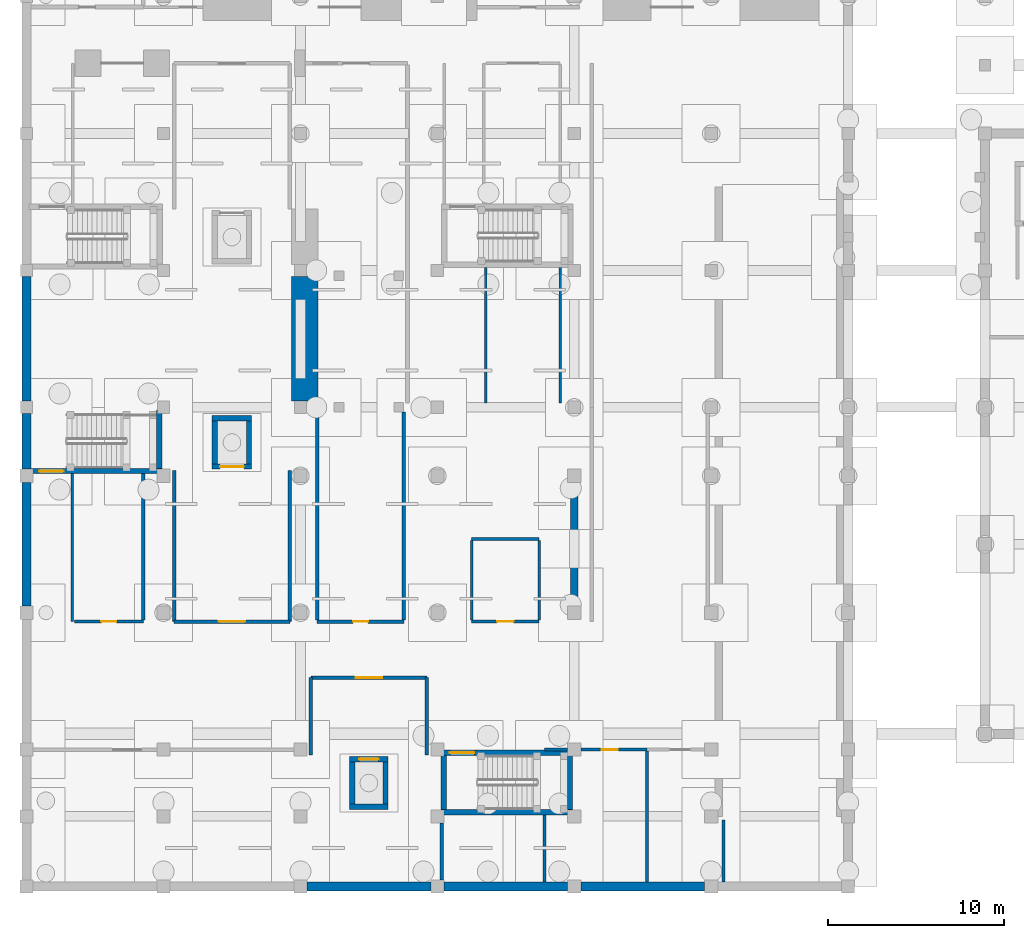
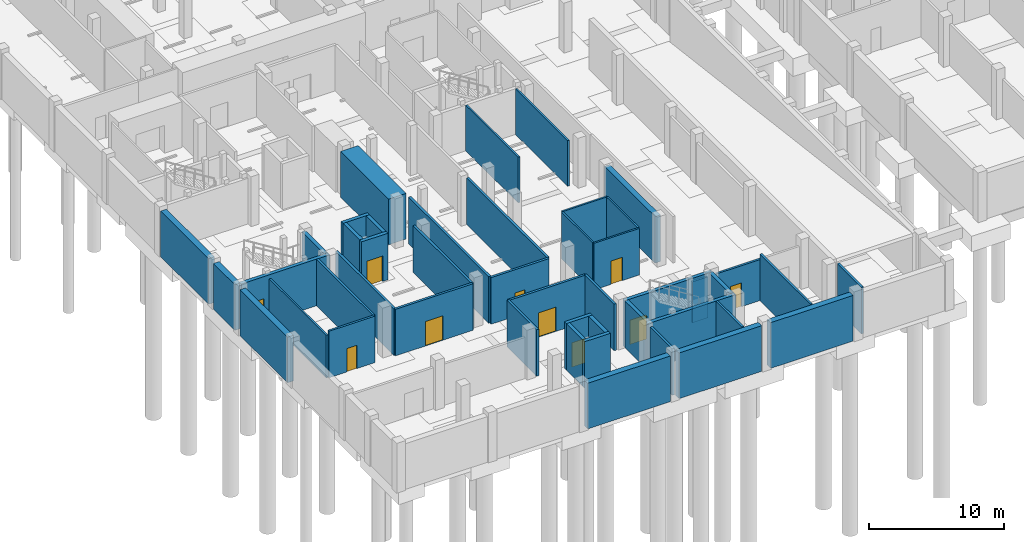
# One storey, part 10 of 24: 46 walls, 10 doors, 10 openings.
"""IFC4 building model written with IfcOpenShell, lengths in metres."""

import ifcopenshell
import ifcopenshell.guid

model = None  # the IFC model being written
_history = None  # IfcOwnerHistory: only IFC2X3 demands one
_inside = {}  # id of a spatial element -> (the spatial element, [elements in it])
_under = {}  # id of a project, library or spatial element -> (it, [spatial elements below it])
_declared = {}  # id of a project -> (the project, [libraries it declares])
_typed = {}  # id of a type object -> (the type object, [elements of that type])
_made_of = {}  # id of a material, layer set ... -> (it, [elements and type objects made of it])


def new_model(schema):
    """Start an empty IFC model of exactly this schema.

    Asked for "IFC4X3", IfcOpenShell would pick the latest addendum, in which some entities
    have other attributes; the version numbers below select the first issue.
    IFC2X3 requires an IfcOwnerHistory on every rooted entity: one is made here for all.
    """
    global model, _history
    if schema == "IFC4X3":
        model = ifcopenshell.file(schema_version=(4, 3, 0, 0))
    else:
        model = ifcopenshell.file(schema=schema)
    _inside.clear()
    _under.clear()
    _declared.clear()
    _typed.clear()
    _made_of.clear()
    _history = None
    if model.schema == "IFC2X3":
        org = make("IfcOrganization", Name="unknown")
        user = make(
            "IfcPersonAndOrganization",
            ThePerson=make("IfcPerson", FamilyName="unknown"),
            TheOrganization=org,
        )
        app = make(
            "IfcApplication",
            ApplicationDeveloper=org,
            Version="unknown",
            ApplicationFullName="unknown",
            ApplicationIdentifier="unknown",
        )
        _history = make(
            "IfcOwnerHistory",
            OwningUser=user,
            OwningApplication=app,
            ChangeAction="ADDED",
            CreationDate=0,
        )
    return model


def make(cls, **values):
    """One entity of the class cls with the attributes given. An attribute that is None is left unset."""
    return model.create_entity(
        cls, **{name: value for name, value in values.items() if value is not None}
    )


def rooted(cls, **values):
    """An entity with a GlobalId (a new one), such as an element, a storey or a relation."""
    return make(cls, GlobalId=ifcopenshell.guid.new(), OwnerHistory=_history, **values)


def si_unit(unit_type, name, prefix=None):
    """IfcSIUnit, for example si_unit("LENGTHUNIT", "METRE", prefix="MILLI")."""
    return make("IfcSIUnit", UnitType=unit_type, Prefix=prefix, Name=name)


def assignment(units):
    """IfcUnitAssignment: the units of a project."""
    return None if units is None else make("IfcUnitAssignment", Units=units)


def point(xyz):
    """IfcCartesianPoint."""
    return None if xyz is None else make("IfcCartesianPoint", Coordinates=xyz)


def direction(xyz):
    """IfcDirection."""
    return None if xyz is None else make("IfcDirection", DirectionRatios=xyz)


def frame(location, z_axis=None, x_axis=None):
    """IfcAxis2Placement3D, a coordinate frame: its origin and axes. An axis left out is left unset."""
    return make(
        "IfcAxis2Placement3D",
        Location=point(location),
        Axis=direction(z_axis),
        RefDirection=direction(x_axis),
    )


def frame_2d(location, x_axis=None):
    """IfcAxis2Placement2D, a coordinate frame in the plane: its origin and x axis."""
    return make(
        "IfcAxis2Placement2D", Location=point(location), RefDirection=direction(x_axis)
    )


def origin():
    """The frame at (0, 0, 0) with its axes left unset."""
    return frame((0.0, 0.0, 0.0))


def place(relative_to, where):
    """IfcLocalPlacement: puts the frame where relative to a parent placement (None: the world)."""
    return make(
        "IfcLocalPlacement", PlacementRelTo=relative_to, RelativePlacement=where
    )


def context(
    kind, dimensions, precision=None, world=None, true_north=None, identifier=None
):
    """IfcGeometricRepresentationContext, for example the 3D "Model" context."""
    return make(
        "IfcGeometricRepresentationContext",
        ContextIdentifier=identifier,
        ContextType=kind,
        CoordinateSpaceDimension=dimensions,
        Precision=precision,
        WorldCoordinateSystem=world,
        TrueNorth=true_north,
    )


def subcontext(parent, identifier, kind, view, scale=None):
    """IfcGeometricRepresentationSubContext, for example "Body" below "Model"."""
    return make(
        "IfcGeometricRepresentationSubContext",
        ContextIdentifier=identifier,
        ContextType=kind,
        ParentContext=parent,
        TargetScale=scale,
        TargetView=view,
    )


def project(units=None, contexts=None):
    """IfcProject with its units and contexts."""
    return rooted(
        "IfcProject",
        Name="project",
        RepresentationContexts=contexts,
        UnitsInContext=assignment(units),
    )


def spatial(cls, under=None, at=None, **own):
    """A site, building, storey or space (cls), placed at a placement, below another one or the project."""
    s = rooted(cls, ObjectPlacement=at, **own)
    if under is not None:
        _under.setdefault(under.id(), (under, []))[1].append(s)
    return s


def profile(cls, at=None, kind="AREA", **sizes):
    """A parametric profile (cls). Its sizes go by their IFC names, for example OverallWidth=200.0."""
    return make(cls, ProfileType=kind, Position=at, **sizes)


def rectangle(**sizes):
    """IfcRectangleProfileDef."""
    return profile("IfcRectangleProfileDef", **sizes)


def extrude(swept, where, along, depth):
    """IfcExtrudedAreaSolid: the profile swept, set in the frame where, extruded along a direction by depth."""
    return make(
        "IfcExtrudedAreaSolid",
        SweptArea=swept,
        Position=where,
        ExtrudedDirection=direction(along),
        Depth=depth,
    )


def shape(context_of_items, identifier, shape_type, items):
    """IfcShapeRepresentation: the items that make up one representation, for example the "Body"."""
    return make(
        "IfcShapeRepresentation",
        ContextOfItems=context_of_items,
        RepresentationIdentifier=identifier,
        RepresentationType=shape_type,
        Items=items,
    )


def material(Name=None, Category=None):
    """IfcMaterial."""
    return make("IfcMaterial", Name=Name, Category=Category)


def layer(
    of_material, thickness, ventilated=None, Name=None, Category=None, Priority=None
):
    """IfcMaterialLayer: one layer of a wall or slab, of a material (None: an air gap)."""
    return make(
        "IfcMaterialLayer",
        Material=of_material,
        LayerThickness=thickness,
        IsVentilated=ventilated,
        Name=Name,
        Category=Category,
        Priority=Priority,
    )


def layer_set(layers, Name=None):
    """IfcMaterialLayerSet."""
    return make("IfcMaterialLayerSet", MaterialLayers=layers, LayerSetName=Name)


def made_of(thing, what):
    """Note that an element or type object is made of a material, layer set ...; save() writes the relation."""
    if what is not None:
        _made_of.setdefault(what.id(), (what, []))[1].append(thing)
    return thing


def type_object(cls, material=None, **own):
    """A type object (cls), such as IfcWallType, which elements share."""
    return made_of(rooted(cls, **own), material)


def element(
    cls,
    number,
    at=None,
    inside=None,
    cuts=None,
    type_object=None,
    material=None,
    context=None,
    identifier="Body",
    shape_type=None,
    held_by="IfcProductDefinitionShape",
    body=None,
    shapes=None,
    **own,
):
    """One element of the class cls, such as IfcWall. Its Tag is "e" and its number.

    at: its placement. inside: the storey or other place that contains it. cuts: it is an
    opening in that element (IfcRelVoidsElement). A single representation is given by context,
    identifier, shape_type and body (its items); several are given by shapes. held_by: the class
    of the entity that holds the representations. save() writes the other relations.
    """
    e = rooted(cls, Tag="e%d" % number, ObjectPlacement=at, **own)
    if body is not None:
        shapes = [shape(context, identifier, shape_type, body)]
    if shapes is not None:
        e.Representation = make(held_by, Representations=shapes)
    if inside is not None:
        _inside.setdefault(inside.id(), (inside, []))[1].append(e)
    if cuts is not None:
        rooted(
            "IfcRelVoidsElement", RelatingBuildingElement=cuts, RelatedOpeningElement=e
        )
    if type_object is not None:
        _typed.setdefault(type_object.id(), (type_object, []))[1].append(e)
    return made_of(e, material)


def fill(opening, filler):
    """IfcRelFillsElement: the door or window that sits in an opening."""
    return rooted(
        "IfcRelFillsElement",
        RelatingOpeningElement=opening,
        RelatedBuildingElement=filler,
    )


def aggregate(whole, parts):
    """IfcRelAggregates: a whole, such as a stair, and the parts it consists of."""
    return rooted("IfcRelAggregates", RelatingObject=whole, RelatedObjects=parts)


def save(model, path):
    """Write the relations noted so far, then the file.

    IfcRelAggregates (storeys below a building ...), IfcRelContainedInSpatialStructure (elements
    in a storey), IfcRelDefinesByType, IfcRelAssociatesMaterial and IfcRelDeclares: one each for
    every whole, place, type object, material and project.
    """
    for whole, parts in _under.values():
        aggregate(whole, parts)
    for where, things in _inside.values():
        rooted(
            "IfcRelContainedInSpatialStructure",
            RelatedElements=things,
            RelatingStructure=where,
        )
    for kind, things in _typed.values():
        rooted("IfcRelDefinesByType", RelatedObjects=things, RelatingType=kind)
    for what, things in _made_of.values():
        rooted("IfcRelAssociatesMaterial", RelatedObjects=things, RelatingMaterial=what)
    for by, libraries in _declared.values():
        rooted("IfcRelDeclares", RelatingContext=by, RelatedDefinitions=libraries)
    model.write(path)


model = new_model("IFC4")

# Units and contexts
model_context = context("Model", 3, precision=1e-05, world=origin(), true_north=direction((0.0, 1.0)))
body_context = subcontext(model_context, "Body", "Model", "MODEL_VIEW")
ifc_project = project(units=[si_unit("LENGTHUNIT", "METRE"), si_unit("AREAUNIT", "SQUARE_METRE"), si_unit("VOLUMEUNIT", "CUBIC_METRE"), si_unit("PLANEANGLEUNIT", "RADIAN"), si_unit("MASSUNIT", "GRAM", prefix="KILO")], contexts=[model_context])

# Site, building, storey
site_placement = place(None, origin())
site = spatial("IfcSite", under=ifc_project, at=site_placement, CompositionType="ELEMENT")
building_placement = place(site_placement, origin())
building = spatial("IfcBuilding", under=site, at=building_placement, Name="Celorna Specialist Clinic", CompositionType="ELEMENT")
storey_placement = place(building_placement, frame((0.0, 0.0, -4.5)))
storey = spatial("IfcBuildingStorey", under=building, at=storey_placement, Name="B01", CompositionType="ELEMENT", Elevation=-4.5)

# Walls
ifc_material_1 = material(Name="Concrete C40/50", Category="concrete")
ifc_layer_1 = layer(ifc_material_1, 1.5, Name="Concrete C40/50")
ifc_layer_set_1 = layer_set([ifc_layer_1], Name="Concrete C40/50")
wall_type_1 = type_object("IfcWallType", Name="WT-01", PredefinedType="SOLIDWALL", material=ifc_layer_set_1)
wall_1_placement = place(storey_placement, frame((15.85009765625, 27.64990234375, 0.0), z_axis=(0.0, 0.0, 1.0), x_axis=(0.0, 1.0, 0.0)))
element("IfcWall", 1, at=wall_1_placement, inside=storey, type_object=wall_type_1, Name="Room dividing partition WT-01 B01-011", PredefinedType="SOLIDWALL", context=body_context, shape_type="SweptSolid", body=[
    extrude(rectangle(XDim=7.10009765625, YDim=1.5, at=frame_2d((3.550048828125, 0.0))), origin(), (0.0, 0.0, 1.0), 4.1201171875),
])
ifc_material_2 = material(Name="Concrete C35/45", Category="concrete")
ifc_layer_2 = layer(ifc_material_2, 0.5, Name="Concrete C35/45")
ifc_layer_set_2 = layer_set([ifc_layer_2], Name="Concrete C35/45")
wall_type_2 = type_object("IfcWallType", Name="WT-03", PredefinedType="SOLIDWALL", material=ifc_layer_set_2)
wall_2_placement = place(storey_placement, frame((0.0, 27.64990234375, 0.0), z_axis=(0.0, 0.0, 1.0), x_axis=(0.0, 1.0, 0.0)))
element("IfcWall", 2, at=wall_2_placement, inside=storey, type_object=wall_type_2, Name="External facade wall WT-03 #1", PredefinedType="SOLIDWALL", context=body_context, shape_type="SweptSolid", body=[
    extrude(rectangle(XDim=7.10009765625, YDim=0.5, at=frame_2d((3.550048828125, 0.0))), origin(), (0.0, 0.0, 1.0), 4.1201171875),
])
for number, where, z_axis, x_axis, name in (
    (3, (38.625, 0.0, 0.0), (0.0, 0.0, 1.0), (-1.0, 0.0, 0.0), "External facade wall WT-03 #27"),
    (4, (30.824951171875, 0.0, 0.0), (0.0, 0.0, 1.0), (-1.0, 0.0, 0.0), "External facade wall WT-03 #28"),
):
    element("IfcWall", number, at=place(storey_placement, frame(where, z_axis=z_axis, x_axis=x_axis)), inside=storey, type_object=wall_type_2, Name=name, PredefinedType="SOLIDWALL", context=body_context, shape_type="SweptSolid", body=[
        extrude(rectangle(XDim=7.050048828125, YDim=0.5, at=frame_2d((3.52490234375, 0.0))), origin(), (0.0, 0.0, 1.0), 4.1201171875),
    ])
for number, where, z_axis, x_axis, name in (
    (5, (23.02490234375, 0.0, 0.0), (0.0, 0.0, 1.0), (-1.0, 0.0, 0.0), "External facade wall WT-03 #29"),
    (6, (0.0, 15.97509765625, 0.0), (0.0, 0.0, 1.0), (0.0, 1.0, 0.0), "External facade wall WT-03 #35"),
):
    element("IfcWall", number, at=place(storey_placement, frame(where, z_axis=z_axis, x_axis=x_axis)), inside=storey, type_object=wall_type_2, Name=name, PredefinedType="SOLIDWALL", context=body_context, shape_type="SweptSolid", body=[
        extrude(rectangle(XDim=7.0498046875, YDim=0.5, at=frame_2d((3.52490234375, 0.0))), origin(), (0.0, 0.0, 1.0), 4.1201171875),
    ])
wall_3_placement = place(storey_placement, frame((0.0, 23.77490234375, 0.0), z_axis=(0.0, 0.0, 1.0), x_axis=(0.0, 1.0, 0.0)))
element("IfcWall", 7, at=wall_3_placement, inside=storey, type_object=wall_type_2, Name="External facade wall WT-03 #36", PredefinedType="SOLIDWALL", context=body_context, shape_type="SweptSolid", body=[
    extrude(rectangle(XDim=3.175048828125, YDim=0.5, at=frame_2d((1.58740234375, 0.0))), origin(), (0.0, 0.0, 1.0), 4.1201171875),
])
ifc_layer_3 = layer(ifc_material_1, 0.449951171875, Name="Concrete C40/50")
ifc_layer_set_3 = layer_set([ifc_layer_3], Name="Concrete C40/50")
wall_type_3 = type_object("IfcWallType", Name="WT-04", PredefinedType="SHEAR", material=ifc_layer_set_3)
wall_4_placement = place(storey_placement, frame((31.199951171875, 15.75, 0.0), z_axis=(0.0, 0.0, 1.0), x_axis=(0.0, 1.0, 0.0)))
element("IfcWall", 8, at=wall_4_placement, inside=storey, type_object=wall_type_3, Name="Structural RC shear wall WT-04 V5 B01", PredefinedType="SHEAR", context=body_context, shape_type="SweptSolid", body=[
    extrude(rectangle(XDim=7.5, YDim=0.449951171875, at=frame_2d((3.75, 0.0))), origin(), (0.0, 0.0, 1.0), 4.199951171875),
])

# Wall, opening, door
ifc_layer_4 = layer(ifc_material_2, 0.300048828125, Name="Concrete C35/45")
ifc_layer_set_4 = layer_set([ifc_layer_4], Name="Concrete C35/45")
wall_type_4 = type_object("IfcWallType", Name="WT-08", PredefinedType="SHEAR", material=ifc_layer_set_4)
wall_5_placement = place(storey_placement, frame((0.14990234375, 23.669921875, 0.0), z_axis=(0.0, 0.0, 1.0), x_axis=(1.0, 0.0, 0.0)))
wall_5 = element("IfcWall", 9, at=wall_5_placement, inside=storey, type_object=wall_type_4, Name="Stair ST-04 RC core wall B01 south", PredefinedType="SHEAR", context=body_context, shape_type="SweptSolid", body=[
    extrude(rectangle(XDim=7.56005859375, YDim=0.300048828125, at=frame_2d((3.780029296875, 0.0))), origin(), (0.0, 0.0, 1.0), 4.199951171875),
])
opening_1_placement = place(wall_5_placement, frame((0.56005859375, 0.0, 0.0)))
opening_1 = element("IfcOpeningElement", 10, at=opening_1_placement, cuts=wall_5, Name="Opening DR-10", PredefinedType="OPENING", context=body_context, shape_type="SweptSolid", body=[
    extrude(rectangle(XDim=1.39990234375, YDim=2.199951171875, at=frame_2d((0.699951171875, 1.10009765625))), frame((0.0, 0.159912109375, 0.0), z_axis=(0.0, -1.0, 0.0), x_axis=(1.0, 0.0, 0.0)), (0.0, 0.0, 1.0), 0.320068359375),
])
ifc_material_3 = material(Name="Protected exit stair fire door")
door_type_1 = type_object("IfcDoorType", Name="DR-10", OperationType="NOTDEFINED", PredefinedType="DOOR", material=ifc_material_3)
door_1_placement = place(opening_1_placement, origin())
door_1 = element("IfcDoor", 11, at=door_1_placement, inside=storey, type_object=door_type_1, Name="Protected exit stair door ST-04 B01", OperationType="SINGLE_SWING_RIGHT", OverallHeight=2.199951171875, OverallWidth=1.39990234375, PredefinedType="DOOR", context=body_context, shape_type="SweptSolid", body=[
    extrude(rectangle(XDim=1.39990234375, YDim=2.199951171875, at=frame_2d((0.699951171875, 1.10009765625))), frame((0.0, 0.02490234375, 0.0), z_axis=(0.0, -1.0, 0.0), x_axis=(1.0, 0.0, 0.0)), (0.0, 0.0, 1.0), 0.050048828125),
])
fill(opening_1, door_1)

# Walls
wall_6_placement = place(storey_placement, frame((7.56005859375, 23.820068359375, 0.0), z_axis=(0.0, 0.0, 1.0), x_axis=(0.0, 1.0, 0.0)))
element("IfcWall", 12, at=wall_6_placement, inside=storey, type_object=wall_type_4, Name="Stair ST-04 RC core wall B01 east", PredefinedType="SHEAR", context=body_context, shape_type="SweptSolid", body=[
    extrude(rectangle(XDim=3.329833984375, YDim=0.300048828125, at=frame_2d((1.6650390625, 0.0))), origin(), (0.0, 0.0, 1.0), 4.199951171875),
])
wall_7_placement = place(storey_placement, frame((23.610107421875, 4.22998046875, 0.0), z_axis=(0.0, 0.0, 1.0), x_axis=(1.0, 0.0, 0.0)))
element("IfcWall", 13, at=wall_7_placement, inside=storey, type_object=wall_type_4, Name="Stair ST-05 RC core wall B01 south", PredefinedType="SHEAR", context=body_context, shape_type="SweptSolid", body=[
    extrude(rectangle(XDim=7.5, YDim=0.300048828125, at=frame_2d((3.75, 0.0))), origin(), (0.0, 0.0, 1.0), 4.199951171875),
])

# Wall, opening, door
wall_8_placement = place(storey_placement, frame((31.110107421875, 7.6298828125, 0.0), z_axis=(0.0, 0.0, 1.0), x_axis=(-1.0, 0.0, 0.0)))
wall_8 = element("IfcWall", 14, at=wall_8_placement, inside=storey, type_object=wall_type_4, Name="Stair ST-05 RC core wall B01 north", PredefinedType="SHEAR", context=body_context, shape_type="SweptSolid", body=[
    extrude(rectangle(XDim=7.5, YDim=0.300048828125, at=frame_2d((3.75, 0.0))), origin(), (0.0, 0.0, 1.0), 4.199951171875),
])
opening_2_placement = place(wall_8_placement, frame((5.60009765625, 0.0, 0.0)))
opening_2 = element("IfcOpeningElement", 15, at=opening_2_placement, cuts=wall_8, Name="Opening DR-10", PredefinedType="OPENING", context=body_context, shape_type="SweptSolid", body=[
    extrude(rectangle(XDim=1.39990234375, YDim=2.199951171875, at=frame_2d((0.699951171875, 1.10009765625))), frame((0.0, 0.159912109375, 0.0), z_axis=(0.0, -1.0, 0.0), x_axis=(1.0, 0.0, 0.0)), (0.0, 0.0, 1.0), 0.320068359375),
])
door_2_placement = place(opening_2_placement, origin())
door_2 = element("IfcDoor", 16, at=door_2_placement, inside=storey, type_object=door_type_1, Name="Protected exit stair door ST-05 B01", OperationType="SINGLE_SWING_RIGHT", OverallHeight=2.199951171875, OverallWidth=1.39990234375, PredefinedType="DOOR", context=body_context, shape_type="SweptSolid", body=[
    extrude(rectangle(XDim=1.39990234375, YDim=2.199951171875, at=frame_2d((0.699951171875, 1.10009765625))), frame((0.0, 0.02490234375, 0.0), z_axis=(0.0, -1.0, 0.0), x_axis=(1.0, 0.0, 0.0)), (0.0, 0.0, 1.0), 0.050048828125),
])
fill(opening_2, door_2)

# Walls
for number, where, z_axis, x_axis, name in (
    (17, (23.760009765625, 7.47998046875, 0.0), (0.0, 0.0, 1.0), (0.0, -1.0, 0.0), "Stair ST-05 RC core wall B01 west"),
    (18, (30.9599609375, 4.3798828125, 0.0), (0.0, 0.0, 1.0), (0.0, 1.0, 0.0), "Stair ST-05 RC core wall B01 east"),
):
    element("IfcWall", number, at=place(storey_placement, frame(where, z_axis=z_axis, x_axis=x_axis)), inside=storey, type_object=wall_type_4, Name=name, PredefinedType="SHEAR", context=body_context, shape_type="SweptSolid", body=[
        extrude(rectangle(XDim=3.10009765625, YDim=0.300048828125, at=frame_2d((1.550048828125, 0.0))), origin(), (0.0, 0.0, 1.0), 4.199951171875),
    ])

# Wall, opening, door
wall_9_placement = place(storey_placement, frame((10.574951171875, 23.925048828125, 0.0), z_axis=(0.0, 0.0, 1.0), x_axis=(1.0, 0.0, 0.0)))
wall_9 = element("IfcWall", 19, at=wall_9_placement, inside=storey, type_object=wall_type_4, Name="Lift LF-04 RC shaft wall B01", PredefinedType="SHEAR", context=body_context, shape_type="SweptSolid", body=[
    extrude(rectangle(XDim=2.25, YDim=0.300048828125, at=frame_2d((1.125, 0.0))), origin(), (0.0, 0.0, 1.0), 4.199951171875),
])
opening_3_placement = place(wall_9_placement, frame((0.449951171875, 0.0, 0.0)))
opening_3 = element("IfcOpeningElement", 20, at=opening_3_placement, cuts=wall_9, Name="Opening LD-02", PredefinedType="OPENING", context=body_context, shape_type="SweptSolid", body=[
    extrude(rectangle(XDim=1.35009765625, YDim=2.300048828125, at=frame_2d((0.675048828125, 1.14990234375))), frame((0.0, 0.159912109375, 0.0), z_axis=(0.0, -1.0, 0.0), x_axis=(1.0, 0.0, 0.0)), (0.0, 0.0, 1.0), 0.320068359375),
])
ifc_material_4 = material(Name="Firefighting stretcher lift landing sliding door")
door_type_2 = type_object("IfcDoorType", Name="LD-02", OperationType="DOUBLE_DOOR_SLIDING", PredefinedType="DOOR", material=ifc_material_4)
door_3_placement = place(opening_3_placement, origin())
door_3 = element("IfcDoor", 21, at=door_3_placement, inside=storey, type_object=door_type_2, Name="Lift LF-04 sliding landing door B01", OperationType="DOUBLE_DOOR_SLIDING", OverallHeight=2.300048828125, OverallWidth=1.35009765625, PredefinedType="DOOR", context=body_context, shape_type="SweptSolid", body=[
    extrude(rectangle(XDim=1.35009765625, YDim=2.300048828125, at=frame_2d((0.675048828125, 1.14990234375))), frame((0.0, 0.02490234375, 0.0), z_axis=(0.0, -1.0, 0.0), x_axis=(1.0, 0.0, 0.0)), (0.0, 0.0, 1.0), 0.050048828125),
])
fill(opening_3, door_3)

# Walls
wall_10_placement = place(storey_placement, frame((12.824951171875, 26.675048828125, 0.0), z_axis=(0.0, 0.0, 1.0), x_axis=(-1.0, 0.0, 0.0)))
element("IfcWall", 22, at=wall_10_placement, inside=storey, type_object=wall_type_4, Name="Lift LF-04 RC shaft wall B01", PredefinedType="SHEAR", context=body_context, shape_type="SweptSolid", body=[
    extrude(rectangle(XDim=2.25, YDim=0.300048828125, at=frame_2d((1.125, 0.0))), origin(), (0.0, 0.0, 1.0), 4.199951171875),
])
for number, where, z_axis, x_axis, name in (
    (23, (10.72509765625, 26.52490234375, 0.0), (0.0, 0.0, 1.0), (0.0, -1.0, 0.0), "Lift LF-04 RC shaft wall B01"),
    (24, (12.675048828125, 24.074951171875, 0.0), (0.0, 0.0, 1.0), (0.0, 1.0, 0.0), "Lift LF-04 RC shaft wall B01"),
):
    element("IfcWall", number, at=place(storey_placement, frame(where, z_axis=z_axis, x_axis=x_axis)), inside=storey, type_object=wall_type_4, Name=name, PredefinedType="SHEAR", context=body_context, shape_type="SweptSolid", body=[
        extrude(rectangle(XDim=2.449951171875, YDim=0.300048828125, at=frame_2d((1.22509765625, 0.0))), origin(), (0.0, 0.0, 1.0), 4.199951171875),
    ])
wall_11_placement = place(storey_placement, frame((18.39990234375, 4.550048828125, 0.0), z_axis=(0.0, 0.0, 1.0), x_axis=(1.0, 0.0, 0.0)))
element("IfcWall", 25, at=wall_11_placement, inside=storey, type_object=wall_type_4, Name="Lift LF-05 RC shaft wall B01", PredefinedType="SHEAR", context=body_context, shape_type="SweptSolid", body=[
    extrude(rectangle(XDim=2.2001953125, YDim=0.300048828125, at=frame_2d((1.10009765625, 0.0))), origin(), (0.0, 0.0, 1.0), 4.199951171875),
])

# Wall, opening, door
wall_12_placement = place(storey_placement, frame((20.60009765625, 7.25, 0.0), z_axis=(0.0, 0.0, 1.0), x_axis=(-1.0, 0.0, 0.0)))
wall_12 = element("IfcWall", 26, at=wall_12_placement, inside=storey, type_object=wall_type_4, Name="Lift LF-05 RC shaft wall B01", PredefinedType="SHEAR", context=body_context, shape_type="SweptSolid", body=[
    extrude(rectangle(XDim=2.2001953125, YDim=0.300048828125, at=frame_2d((1.10009765625, 0.0))), origin(), (0.0, 0.0, 1.0), 4.199951171875),
])
opening_4_placement = place(wall_12_placement, frame((0.550048828125, 0.0, 0.0)))
opening_4 = element("IfcOpeningElement", 27, at=opening_4_placement, cuts=wall_12, Name="Opening LD-01", PredefinedType="OPENING", context=body_context, shape_type="SweptSolid", body=[
    extrude(rectangle(XDim=1.10009765625, YDim=2.199951171875, at=frame_2d((0.550048828125, 1.10009765625))), frame((0.0, 0.159912109375, 0.0), z_axis=(0.0, -1.0, 0.0), x_axis=(1.0, 0.0, 0.0)), (0.0, 0.0, 1.0), 0.320068359375),
])
ifc_material_5 = material(Name="Stainless steel lift landing sliding door", Category="steel")
door_type_3 = type_object("IfcDoorType", Name="LD-01", OperationType="DOUBLE_DOOR_SLIDING", PredefinedType="DOOR", material=ifc_material_5)
door_4_placement = place(opening_4_placement, origin())
door_4 = element("IfcDoor", 28, at=door_4_placement, inside=storey, type_object=door_type_3, Name="Lift LF-05 sliding landing door B01", OperationType="DOUBLE_DOOR_SLIDING", OverallHeight=2.199951171875, OverallWidth=1.10009765625, PredefinedType="DOOR", context=body_context, shape_type="SweptSolid", body=[
    extrude(rectangle(XDim=1.10009765625, YDim=2.199951171875, at=frame_2d((0.550048828125, 1.10009765625))), frame((0.0, 0.02490234375, 0.0), z_axis=(0.0, -1.0, 0.0), x_axis=(1.0, 0.0, 0.0)), (0.0, 0.0, 1.0), 0.050048828125),
])
fill(opening_4, door_4)

# Walls
for number, where, z_axis, x_axis, name in (
    (29, (18.550048828125, 7.10009765625, 0.0), (0.0, 0.0, 1.0), (0.0, -1.0, 0.0), "Lift LF-05 RC shaft wall B01"),
    (30, (20.449951171875, 4.699951171875, 0.0), (0.0, 0.0, 1.0), (0.0, 1.0, 0.0), "Lift LF-05 RC shaft wall B01"),
):
    element("IfcWall", number, at=place(storey_placement, frame(where, z_axis=z_axis, x_axis=x_axis)), inside=storey, type_object=wall_type_4, Name=name, PredefinedType="SHEAR", context=body_context, shape_type="SweptSolid", body=[
        extrude(rectangle(XDim=2.400146484375, YDim=0.300048828125, at=frame_2d((1.2001953125, 0.0))), origin(), (0.0, 0.0, 1.0), 4.199951171875),
    ])

# Wall, opening, door
ifc_layer_5 = layer(ifc_material_2, 0.199951171875, Name="Concrete C35/45")
ifc_layer_set_5 = layer_set([ifc_layer_5], Name="Concrete C35/45")
wall_type_5 = type_object("IfcWallType", Name="WT-12", PredefinedType="SOLIDWALL", material=ifc_layer_set_5)
wall_13_placement = place(storey_placement, frame((8.39990234375, 15.10009765625, 0.0), z_axis=(0.0, 0.0, 1.0), x_axis=(1.0, 0.0, 0.0)))
wall_13 = element("IfcWall", 31, at=wall_13_placement, inside=storey, type_object=wall_type_5, Name="Firefighting lobby wall LF-04 B01", PredefinedType="SOLIDWALL", context=body_context, shape_type="SweptSolid", body=[
    extrude(rectangle(XDim=6.60009765625, YDim=0.199951171875, at=frame_2d((3.300048828125, 0.0))), origin(), (0.0, 0.0, 1.0), 4.199951171875),
])
opening_5_placement = place(wall_13_placement, frame((2.550048828125, 0.0, 0.0)))
opening_5 = element("IfcOpeningElement", 32, at=opening_5_placement, cuts=wall_13, Name="Opening DR-11", PredefinedType="OPENING", context=body_context, shape_type="SweptSolid", body=[
    extrude(rectangle(XDim=1.5, YDim=2.199951171875, at=frame_2d((0.75, 1.10009765625))), frame((0.0, 0.10986328125, 0.0), z_axis=(0.0, -1.0, 0.0), x_axis=(1.0, 0.0, 0.0)), (0.0, 0.0, 1.0), 0.219970703125),
])
ifc_material_6 = material(Name="Firefighting lobby double fire door")
door_type_4 = type_object("IfcDoorType", Name="DR-11", OperationType="DOUBLE_DOOR_SINGLE_SWING", PredefinedType="DOOR", material=ifc_material_6)
door_5_placement = place(opening_5_placement, origin())
door_5 = element("IfcDoor", 33, at=door_5_placement, inside=storey, type_object=door_type_4, Name="Firefighting lobby fire door LF-04 B01", OperationType="DOUBLE_DOOR_SINGLE_SWING", OverallHeight=2.199951171875, OverallWidth=1.5, PredefinedType="DOOR", context=body_context, shape_type="SweptSolid", body=[
    extrude(rectangle(XDim=1.5, YDim=2.199951171875, at=frame_2d((0.75, 1.10009765625))), frame((0.0, 0.02490234375, 0.0), z_axis=(0.0, -1.0, 0.0), x_axis=(1.0, 0.0, 0.0)), (0.0, 0.0, 1.0), 0.050048828125),
])
fill(opening_5, door_5)

# Walls
for number, where, z_axis, x_axis, name in (
    (34, (8.39990234375, 23.699951171875, 0.0), (0.0, 0.0, 1.0), (0.0, -1.0, 0.0), "Firefighting lobby wall LF-04 B01"),
    (35, (15.0, 15.10009765625, 0.0), (0.0, 0.0, 1.0), (0.0, 1.0, 0.0), "Firefighting lobby wall LF-04 B01"),
):
    element("IfcWall", number, at=place(storey_placement, frame(where, z_axis=z_axis, x_axis=x_axis)), inside=storey, type_object=wall_type_5, Name=name, PredefinedType="SOLIDWALL", context=body_context, shape_type="SweptSolid", body=[
        extrude(rectangle(XDim=8.599853515625, YDim=0.199951171875, at=frame_2d((4.2998046875, 0.0))), origin(), (0.0, 0.0, 1.0), 4.199951171875),
    ])

# Wall, opening, door
wall_14_placement = place(storey_placement, frame((22.800048828125, 11.89990234375, 0.0), z_axis=(0.0, 0.0, 1.0), x_axis=(-1.0, 0.0, 0.0)))
wall_14 = element("IfcWall", 36, at=wall_14_placement, inside=storey, type_object=wall_type_5, Name="Lift lobby wall LF-05 B01", PredefinedType="SOLIDWALL", context=body_context, shape_type="SweptSolid", body=[
    extrude(rectangle(XDim=6.60009765625, YDim=0.199951171875, at=frame_2d((3.300048828125, 0.0))), origin(), (0.0, 0.0, 1.0), 4.199951171875),
])
opening_6_placement = place(wall_14_placement, frame((2.550048828125, 0.0, 0.0)))
opening_6 = element("IfcOpeningElement", 37, at=opening_6_placement, cuts=wall_14, Name="Opening DR-11", PredefinedType="OPENING", context=body_context, shape_type="SweptSolid", body=[
    extrude(rectangle(XDim=1.5, YDim=2.199951171875, at=frame_2d((0.75, 1.10009765625))), frame((0.0, 0.10986328125, 0.0), z_axis=(0.0, -1.0, 0.0), x_axis=(1.0, 0.0, 0.0)), (0.0, 0.0, 1.0), 0.219970703125),
])
door_6_placement = place(opening_6_placement, origin())
door_6 = element("IfcDoor", 38, at=door_6_placement, inside=storey, type_object=door_type_4, Name="Lift lobby fire door LF-05 B01", OperationType="DOUBLE_DOOR_SINGLE_SWING", OverallHeight=2.199951171875, OverallWidth=1.5, PredefinedType="DOOR", context=body_context, shape_type="SweptSolid", body=[
    extrude(rectangle(XDim=1.5, YDim=2.199951171875, at=frame_2d((0.75, 1.10009765625))), frame((0.0, 0.02490234375, 0.0), z_axis=(0.0, -1.0, 0.0), x_axis=(1.0, 0.0, 0.0)), (0.0, 0.0, 1.0), 0.050048828125),
])
fill(opening_6, door_6)

# Walls
for number, where, z_axis, x_axis, name in (
    (39, (16.199951171875, 11.89990234375, 0.0), (0.0, 0.0, 1.0), (0.0, -1.0, 0.0), "Lift lobby wall LF-05 B01"),
    (40, (22.800048828125, 7.5, 0.0), (0.0, 0.0, 1.0), (0.0, 1.0, 0.0), "Lift lobby wall LF-05 B01"),
):
    element("IfcWall", number, at=place(storey_placement, frame(where, z_axis=z_axis, x_axis=x_axis)), inside=storey, type_object=wall_type_5, Name=name, PredefinedType="SOLIDWALL", context=body_context, shape_type="SweptSolid", body=[
        extrude(rectangle(XDim=4.39990234375, YDim=0.199951171875, at=frame_2d((2.199951171875, 0.0))), origin(), (0.0, 0.0, 1.0), 4.199951171875),
    ])

# Wall, opening, door
wall_15_placement = place(storey_placement, frame((16.550048828125, 15.10009765625, 0.0), z_axis=(0.0, 0.0, 1.0), x_axis=(1.0, 0.0, 0.0)))
wall_15 = element("IfcWall", 41, at=wall_15_placement, inside=storey, type_object=wall_type_5, Name="Interior partition WT-12 B01-042", PredefinedType="SOLIDWALL", context=body_context, shape_type="SweptSolid", body=[
    extrude(rectangle(XDim=4.949951171875, YDim=0.199951171875, at=frame_2d((2.47509765625, 0.0))), origin(), (0.0, 0.0, 1.0), 4.199951171875),
])
opening_7_placement = place(wall_15_placement, frame((2.050048828125, 0.0, 0.0)))
opening_7 = element("IfcOpeningElement", 42, at=opening_7_placement, cuts=wall_15, Name="Opening DR-01", PredefinedType="OPENING", context=body_context, shape_type="SweptSolid", body=[
    extrude(rectangle(XDim=0.85009765625, YDim=2.10009765625, at=frame_2d((0.425048828125, 1.050048828125))), frame((0.0, 0.10986328125, 0.0), z_axis=(0.0, -1.0, 0.0), x_axis=(1.0, 0.0, 0.0)), (0.0, 0.0, 1.0), 0.219970703125),
])
ifc_material_7 = material(Name="Powder-coated steel door", Category="steel")
door_type_5 = type_object("IfcDoorType", Name="DR-01", OperationType="NOTDEFINED", PredefinedType="DOOR", material=ifc_material_7)
door_7_placement = place(opening_7_placement, origin())
door_7 = element("IfcDoor", 43, at=door_7_placement, inside=storey, type_object=door_type_5, Name="Electrical Substation and UPS Plant Room door B01-042", OperationType="SINGLE_SWING_RIGHT", OverallHeight=2.10009765625, OverallWidth=0.85009765625, PredefinedType="DOOR", context=body_context, shape_type="SweptSolid", body=[
    extrude(rectangle(XDim=0.85009765625, YDim=2.10009765625, at=frame_2d((0.425048828125, 1.050048828125))), frame((0.0, 0.02490234375, 0.0), z_axis=(0.0, -1.0, 0.0), x_axis=(1.0, 0.0, 0.0)), (0.0, 0.0, 1.0), 0.050048828125),
])
fill(opening_7, door_7)

# Walls
wall_16_placement = place(storey_placement, frame((23.64990234375, 0.375, 0.0), z_axis=(0.0, 0.0, 1.0), x_axis=(0.0, 1.0, 0.0)))
element("IfcWall", 44, at=wall_16_placement, inside=storey, type_object=wall_type_5, Name="Room dividing partition WT-12 B01-038", PredefinedType="SOLIDWALL", context=body_context, shape_type="SweptSolid", body=[
    extrude(rectangle(XDim=3.25, YDim=0.199951171875, at=frame_2d((1.625, 0.0))), origin(), (0.0, 0.0, 1.0), 4.199951171875),
])
for number, where, z_axis, x_axis, name in (
    (45, (16.550048828125, 15.199951171875, 0.0), (0.0, 0.0, 1.0), (0.0, 1.0, 0.0), "Room dividing partition WT-12 B01-042"),
    (46, (21.5, 15.199951171875, 0.0), (0.0, 0.0, 1.0), (0.0, 1.0, 0.0), "Room dividing partition WT-12 B01-042"),
):
    element("IfcWall", number, at=place(storey_placement, frame(where, z_axis=z_axis, x_axis=x_axis)), inside=storey, type_object=wall_type_5, Name=name, PredefinedType="SOLIDWALL", context=body_context, shape_type="SweptSolid", body=[
        extrude(rectangle(XDim=11.85009765625, YDim=0.199951171875, at=frame_2d((5.925048828125, 0.0))), origin(), (0.0, 0.0, 1.0), 4.199951171875),
    ])

# Wall, opening, door
ifc_material_8 = material(Name="Acoustic masonry clinical partition", Category="masonry")
ifc_layer_6 = layer(ifc_material_8, 0.179931640625, Name="Acoustic masonry clinical partition")
ifc_layer_set_6 = layer_set([ifc_layer_6], Name="Acoustic masonry clinical partition")
wall_type_6 = type_object("IfcWallType", Name="WT-13", PredefinedType="PARTITIONING", material=ifc_layer_set_6)
wall_17_placement = place(storey_placement, frame((35.35009765625, 7.800048828125, 0.0), z_axis=(0.0, 0.0, 1.0), x_axis=(-1.0, 0.0, 0.0)))
wall_17 = element("IfcWall", 47, at=wall_17_placement, inside=storey, type_object=wall_type_6, Name="Interior partition WT-13 B01-039", PredefinedType="PARTITIONING", context=body_context, shape_type="SweptSolid", body=[
    extrude(rectangle(XDim=3.775146484375, YDim=0.179931640625, at=frame_2d((1.8876953125, 0.0))), origin(), (0.0, 0.0, 1.0), 3.699951171875),
])
opening_8_placement = place(wall_17_placement, frame((1.6650390625, 0.0, 0.0)))
opening_8 = element("IfcOpeningElement", 48, at=opening_8_placement, cuts=wall_17, Name="Opening DR-20", PredefinedType="OPENING", context=body_context, shape_type="SweptSolid", body=[
    extrude(rectangle(XDim=0.919921875, YDim=2.14990234375, at=frame_2d((0.4599609375, 1.074951171875))), frame((0.0, 0.099853515625, 0.0), z_axis=(0.0, -1.0, 0.0), x_axis=(1.0, 0.0, 0.0)), (0.0, 0.0, 1.0), 0.199951171875),
])
ifc_material_9 = material(Name="Timber clinical consultation door", Category="wood")
door_type_6 = type_object("IfcDoorType", Name="DR-20", OperationType="NOTDEFINED", PredefinedType="DOOR", material=ifc_material_9)
door_8_placement = place(opening_8_placement, origin())
door_8 = element("IfcDoor", 49, at=door_8_placement, inside=storey, type_object=door_type_6, Name="Central Sterile Supply Department door B01-039", OperationType="SINGLE_SWING_LEFT", OverallHeight=2.14990234375, OverallWidth=0.919921875, PredefinedType="DOOR", context=body_context, shape_type="SweptSolid", body=[
    extrude(rectangle(XDim=0.919921875, YDim=2.14990234375, at=frame_2d((0.4599609375, 1.074951171875))), frame((0.0, 0.02490234375, 0.0), z_axis=(0.0, -1.0, 0.0), x_axis=(1.0, 0.0, 0.0)), (0.0, 0.0, 1.0), 0.050048828125),
])
fill(opening_8, door_8)

# Wall
wall_18_placement = place(storey_placement, frame((30.824951171875, 7.800048828125, 0.0), z_axis=(0.0, 0.0, 1.0), x_axis=(-1.0, 0.0, 0.0)))
element("IfcWall", 50, at=wall_18_placement, inside=storey, type_object=wall_type_6, Name="Interior partition WT-13 B01-039", PredefinedType="PARTITIONING", context=body_context, shape_type="SweptSolid", body=[
    extrude(rectangle(XDim=1.324951171875, YDim=0.179931640625, at=frame_2d((0.66259765625, 0.0))), origin(), (0.0, 0.0, 1.0), 3.699951171875),
])

# Wall, opening, door
wall_19_placement = place(storey_placement, frame((2.72998046875, 15.10009765625, 0.0), z_axis=(0.0, 0.0, 1.0), x_axis=(1.0, 0.0, 0.0)))
wall_19 = element("IfcWall", 51, at=wall_19_placement, inside=storey, type_object=wall_type_6, Name="Interior partition WT-13 B01-041", PredefinedType="PARTITIONING", context=body_context, shape_type="SweptSolid", body=[
    extrude(rectangle(XDim=3.919921875, YDim=0.179931640625, at=frame_2d((1.9599609375, 0.0))), origin(), (0.0, 0.0, 1.0), 4.199951171875),
])
opening_9_placement = place(wall_19_placement, frame((1.534912109375, 0.0, 0.0)))
opening_9 = element("IfcOpeningElement", 52, at=opening_9_placement, cuts=wall_19, Name="Opening DR-01", PredefinedType="OPENING", context=body_context, shape_type="SweptSolid", body=[
    extrude(rectangle(XDim=0.85009765625, YDim=2.10009765625, at=frame_2d((0.425048828125, 1.050048828125))), frame((0.0, 0.099853515625, 0.0), z_axis=(0.0, -1.0, 0.0), x_axis=(1.0, 0.0, 0.0)), (0.0, 0.0, 1.0), 0.199951171875),
])
door_9_placement = place(opening_9_placement, origin())
door_9 = element("IfcDoor", 53, at=door_9_placement, inside=storey, type_object=door_type_5, Name="Clinical Pharmacy Bulk Store door B01-041", OperationType="SINGLE_SWING_LEFT", OverallHeight=2.10009765625, OverallWidth=0.85009765625, PredefinedType="DOOR", context=body_context, shape_type="SweptSolid", body=[
    extrude(rectangle(XDim=0.85009765625, YDim=2.10009765625, at=frame_2d((0.425048828125, 1.050048828125))), frame((0.0, 0.02490234375, 0.0), z_axis=(0.0, -1.0, 0.0), x_axis=(1.0, 0.0, 0.0)), (0.0, 0.0, 1.0), 0.050048828125),
])
fill(opening_9, door_9)

# Walls
wall_20_placement = place(storey_placement, frame((29.5, 0.25, 0.0), z_axis=(0.0, 0.0, 1.0), x_axis=(0.0, 1.0, 0.0)))
element("IfcWall", 54, at=wall_20_placement, inside=storey, type_object=wall_type_6, Name="Room dividing partition WT-13 B01-039", PredefinedType="PARTITIONING", context=body_context, shape_type="SweptSolid", body=[
    extrude(rectangle(XDim=3.830078125, YDim=0.179931640625, at=frame_2d((1.9150390625, 0.0))), origin(), (0.0, 0.0, 1.0), 4.199951171875),
])
wall_21_placement = place(storey_placement, frame((35.35009765625, 0.25, 0.0), z_axis=(0.0, 0.0, 1.0), x_axis=(0.0, 1.0, 0.0)))
element("IfcWall", 55, at=wall_21_placement, inside=storey, type_object=wall_type_6, Name="Room dividing partition WT-13 B01-039", PredefinedType="PARTITIONING", context=body_context, shape_type="SweptSolid", body=[
    extrude(rectangle(XDim=7.4599609375, YDim=0.179931640625, at=frame_2d((3.72998046875, 0.0))), origin(), (0.0, 0.0, 1.0), 4.199951171875),
])
wall_22_placement = place(storey_placement, frame((39.699951171875, 0.25, 0.0), z_axis=(0.0, 0.0, 1.0), x_axis=(0.0, 1.0, 0.0)))
element("IfcWall", 56, at=wall_22_placement, inside=storey, type_object=wall_type_6, Name="Room dividing partition WT-13 B01-040", PredefinedType="PARTITIONING", context=body_context, shape_type="SweptSolid", body=[
    extrude(rectangle(XDim=3.550048828125, YDim=0.179931640625, at=frame_2d((1.77490234375, 0.0))), origin(), (0.0, 0.0, 1.0), 4.199951171875),
])
wall_23_placement = place(storey_placement, frame((6.64990234375, 15.18994140625, 0.0), z_axis=(0.0, 0.0, 1.0), x_axis=(0.0, 1.0, 0.0)))
element("IfcWall", 57, at=wall_23_placement, inside=storey, type_object=wall_type_6, Name="Room dividing partition WT-13 B01-041", PredefinedType="PARTITIONING", context=body_context, shape_type="SweptSolid", body=[
    extrude(rectangle(XDim=8.330078125, YDim=0.179931640625, at=frame_2d((4.1650390625, 0.0))), origin(), (0.0, 0.0, 1.0), 4.199951171875),
])
ifc_material_10 = material(Name="Fire-rated gypsum board partition")
ifc_layer_7 = layer(ifc_material_10, 0.14990234375, Name="Fire-rated gypsum board partition")
ifc_layer_set_7 = layer_set([ifc_layer_7], Name="Fire-rated gypsum board partition")
wall_type_7 = type_object("IfcWallType", Name="WT-14", PredefinedType="PARTITIONING", material=ifc_layer_set_7)
wall_24_placement = place(storey_placement, frame((2.610107421875, 15.10009765625, 0.0), z_axis=(0.0, 0.0, 1.0), x_axis=(0.0, 1.0, 0.0)))
element("IfcWall", 58, at=wall_24_placement, inside=storey, type_object=wall_type_7, Name="Corridor spur partition WT-14", PredefinedType="PARTITIONING", context=body_context, shape_type="SweptSolid", body=[
    extrude(rectangle(XDim=8.419921875, YDim=0.14990234375, at=frame_2d((4.2099609375, 0.0))), origin(), (0.0, 0.0, 1.0), 3.840087890625),
])

# Wall, opening, door
wall_25_placement = place(storey_placement, frame((25.35009765625, 15.10009765625, 0.0), z_axis=(0.0, 0.0, 1.0), x_axis=(1.0, 0.0, 0.0)))
wall_25 = element("IfcWall", 59, at=wall_25_placement, inside=storey, type_object=wall_type_7, Name="Interior partition WT-14 B01-043", PredefinedType="PARTITIONING", context=body_context, shape_type="SweptSolid", body=[
    extrude(rectangle(XDim=3.849853515625, YDim=0.14990234375, at=frame_2d((1.9248046875, 0.0))), origin(), (0.0, 0.0, 1.0), 4.199951171875),
])
opening_10_placement = place(wall_25_placement, frame((1.449951171875, 0.0, 0.0)))
opening_10 = element("IfcOpeningElement", 60, at=opening_10_placement, cuts=wall_25, Name="Opening DR-03", PredefinedType="OPENING", context=body_context, shape_type="SweptSolid", body=[
    extrude(rectangle(XDim=0.949951171875, YDim=2.10009765625, at=frame_2d((0.47509765625, 1.050048828125))), frame((0.0, 0.0849609375, 0.0), z_axis=(0.0, -1.0, 0.0), x_axis=(1.0, 0.0, 0.0)), (0.0, 0.0, 1.0), 0.169921875),
])
ifc_material_11 = material(Name="Moisture-resistant accessible WC door")
door_type_7 = type_object("IfcDoorType", Name="DR-03", OperationType="NOTDEFINED", PredefinedType="DOOR", material=ifc_material_11)
door_10_placement = place(opening_10_placement, origin())
door_10 = element("IfcDoor", 61, at=door_10_placement, inside=storey, type_object=door_type_7, Name="Accessible WC door B01-043", OperationType="SINGLE_SWING_LEFT", OverallHeight=2.10009765625, OverallWidth=0.949951171875, PredefinedType="DOOR", context=body_context, shape_type="SweptSolid", body=[
    extrude(rectangle(XDim=0.949951171875, YDim=2.10009765625, at=frame_2d((0.47509765625, 1.050048828125))), frame((0.0, 0.02490234375, 0.0), z_axis=(0.0, -1.0, 0.0), x_axis=(1.0, 0.0, 0.0)), (0.0, 0.0, 1.0), 0.050048828125),
])
fill(opening_10, door_10)

# Walls
wall_26_placement = place(storey_placement, frame((25.35009765625, 19.800048828125, 0.0), z_axis=(0.0, 0.0, 1.0), x_axis=(1.0, 0.0, 0.0)))
element("IfcWall", 62, at=wall_26_placement, inside=storey, type_object=wall_type_7, Name="Sanitary suite rear partition B01-043", PredefinedType="PARTITIONING", context=body_context, shape_type="SweptSolid", body=[
    extrude(rectangle(XDim=3.849853515625, YDim=0.14990234375, at=frame_2d((1.9248046875, 0.0))), origin(), (0.0, 0.0, 1.0), 4.199951171875),
])
for number, where, z_axis, x_axis, name in (
    (63, (26.159912109375, 27.550048828125, 0.0), (0.0, 0.0, 1.0), (0.0, 1.0, 0.0), "Room dividing partition WT-14 B01-013"),
    (64, (30.39990234375, 27.550048828125, 0.0), (0.0, 0.0, 1.0), (0.0, 1.0, 0.0), "Room dividing partition WT-14 B01-013"),
):
    element("IfcWall", number, at=place(storey_placement, frame(where, z_axis=z_axis, x_axis=x_axis)), inside=storey, type_object=wall_type_7, Name=name, PredefinedType="PARTITIONING", context=body_context, shape_type="SweptSolid", body=[
        extrude(rectangle(XDim=7.72998046875, YDim=0.14990234375, at=frame_2d((3.864990234375, 0.0))), origin(), (0.0, 0.0, 1.0), 4.1201171875),
    ])
for number, where, z_axis, x_axis, name in (
    (65, (25.35009765625, 15.175048828125, 0.0), (0.0, 0.0, 1.0), (0.0, 1.0, 0.0), "Room dividing partition WT-14 B01-043"),
    (66, (29.199951171875, 15.175048828125, 0.0), (0.0, 0.0, 1.0), (0.0, 1.0, 0.0), "Room dividing partition WT-14 B01-043"),
):
    element("IfcWall", number, at=place(storey_placement, frame(where, z_axis=z_axis, x_axis=x_axis)), inside=storey, type_object=wall_type_7, Name=name, PredefinedType="PARTITIONING", context=body_context, shape_type="SweptSolid", body=[
        extrude(rectangle(XDim=4.550048828125, YDim=0.14990234375, at=frame_2d((2.27490234375, 0.0))), origin(), (0.0, 0.0, 1.0), 4.199951171875),
    ])

save(model, "model.ifc")
